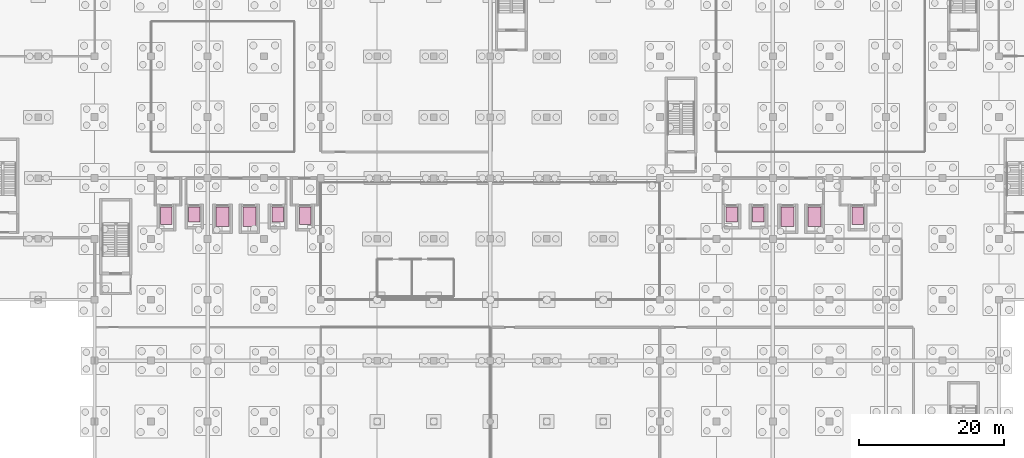
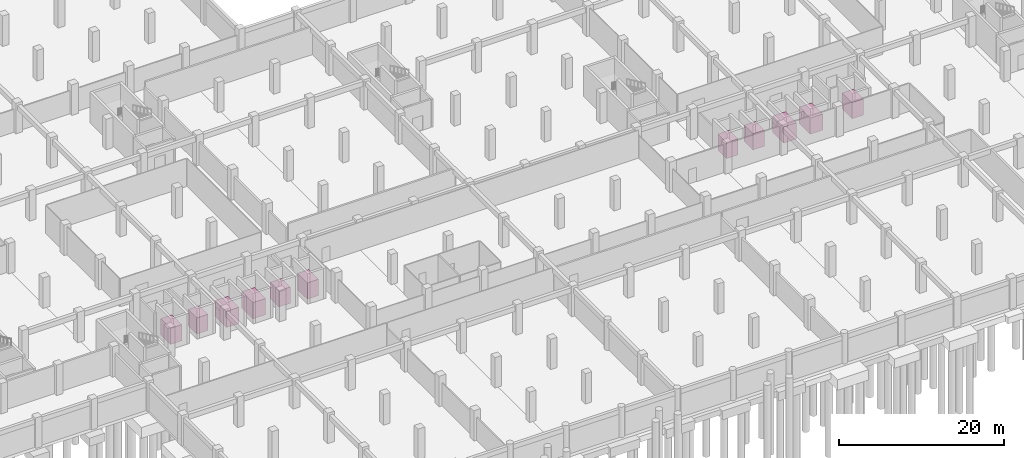
# One storey, part 30 of 30: 11 transport elements.
"""IFC4 building model written with IfcOpenShell, lengths in metres."""

from ifc_helpers import new_model, si_unit, direction, frame, origin, origin_2d, place, context, subcontext, project, spatial, rectangle, extrude, material, type_object, element, save


model = new_model("IFC4")

# Units and contexts
model_context = context("Model", 3, precision=1e-05, world=origin(), true_north=direction((0.0, 1.0)))
body_context = subcontext(model_context, "Body", "Model", "MODEL_VIEW")
ifc_project = project(units=[si_unit("LENGTHUNIT", "METRE"), si_unit("AREAUNIT", "SQUARE_METRE"), si_unit("VOLUMEUNIT", "CUBIC_METRE"), si_unit("PLANEANGLEUNIT", "RADIAN"), si_unit("MASSUNIT", "GRAM", prefix="KILO"), si_unit("THERMODYNAMICTEMPERATUREUNIT", "KELVIN"), si_unit("POWERUNIT", "WATT")], contexts=[model_context])

# Site, building, storey
site_placement = place(None, origin())
site = spatial("IfcSite", under=ifc_project, at=site_placement, CompositionType="ELEMENT")
building_placement = place(site_placement, origin())
building = spatial("IfcBuilding", under=site, at=building_placement, Name="Srebrne Nadtorze General Hospital", CompositionType="ELEMENT")
storey_placement = place(building_placement, frame((0.0, 0.0, -4.5)))
storey = spatial("IfcBuildingStorey", under=building, at=storey_placement, Name="B1", CompositionType="ELEMENT", Elevation=-4.5)

# Transport elements
ifc_material_1 = material(Name="Stainless Steel 316", Category="steel")
transport_element_type_1 = type_object("IfcTransportElementType", Name="Firefighting emergency elevator 2000kg", PredefinedType="ELEVATOR", material=ifc_material_1)
for number, where, z_axis, x_axis, name in (
    (1, (33.300048828125, 45.199951171875, 0.0), (0.0, 0.0, 1.0), (1.0, 0.0, 0.0), "Elevator FL-01"),
    (2, (52.449951171875, 45.199951171875, 0.0), (0.0, 0.0, 1.0), (1.0, 0.0, 0.0), "Elevator FL-02"),
    (3, (128.699951171875, 45.199951171875, 0.0), (0.0, 0.0, 1.0), (1.0, 0.0, 0.0), "Elevator FL-03"),
):
    element("IfcTransportElement", number, at=place(storey_placement, frame(where, z_axis=z_axis, x_axis=x_axis)), inside=storey, type_object=transport_element_type_1, Name=name, PredefinedType="ELEVATOR", context=body_context, shape_type="SweptSolid", body=[
        extrude(rectangle(XDim=1.60009765625, YDim=2.39990234375, at=origin_2d()), origin(), (0.0, 0.0, 1.0), 2.39990234375),
    ])
ifc_material_2 = material(Name="Stainless Steel 316", Category="steel")
transport_element_type_2 = type_object("IfcTransportElementType", Name="Hospital trauma bed elevator 2500kg", PredefinedType="ELEVATOR", material=ifc_material_2)
for number, where, z_axis, x_axis, name in (
    (4, (41.050048828125, 45.050048828125, 0.0), (0.0, 0.0, 1.0), (1.0, 0.0, 0.0), "Elevator LS-01"),
    (5, (44.75, 45.050048828125, 0.0), (0.0, 0.0, 1.0), (1.0, 0.0, 0.0), "Elevator LS-02"),
    (6, (119.050048828125, 45.050048828125, 0.0), (0.0, 0.0, 1.0), (1.0, 0.0, 0.0), "Elevator LS-03"),
    (7, (122.75, 45.050048828125, 0.0), (0.0, 0.0, 1.0), (1.0, 0.0, 0.0), "Elevator LS-04"),
):
    element("IfcTransportElement", number, at=place(storey_placement, frame(where, z_axis=z_axis, x_axis=x_axis)), inside=storey, type_object=transport_element_type_2, Name=name, PredefinedType="ELEVATOR", context=body_context, shape_type="SweptSolid", body=[
        extrude(rectangle(XDim=1.800048828125, YDim=2.699951171875, at=origin_2d()), origin(), (0.0, 0.0, 1.0), 2.39990234375),
    ])
ifc_material_3 = material(Name="Stainless Steel 316", Category="steel")
transport_element_type_3 = type_object("IfcTransportElementType", Name="Outpatient passenger elevator 1600kg", PredefinedType="ELEVATOR", material=ifc_material_3)
for number, where, z_axis, x_axis, name in (
    (8, (37.14990234375, 45.35009765625, 0.0), (0.0, 0.0, 1.0), (1.0, 0.0, 0.0), "Elevator LP-01"),
    (9, (48.64990234375, 45.35009765625, 0.0), (0.0, 0.0, 1.0), (1.0, 0.0, 0.0), "Elevator LP-02"),
    (10, (111.300048828125, 45.35009765625, 0.0), (0.0, 0.0, 1.0), (1.0, 0.0, 0.0), "Elevator LP-03"),
    (11, (115.0, 45.35009765625, 0.0), (0.0, 0.0, 1.0), (1.0, 0.0, 0.0), "Elevator LP-04"),
):
    element("IfcTransportElement", number, at=place(storey_placement, frame(where, z_axis=z_axis, x_axis=x_axis)), inside=storey, type_object=transport_element_type_3, Name=name, PredefinedType="ELEVATOR", context=body_context, shape_type="SweptSolid", body=[
        extrude(rectangle(XDim=1.60009765625, YDim=2.10009765625, at=origin_2d()), origin(), (0.0, 0.0, 1.0), 2.39990234375),
    ])

save(model, "model.ifc")
